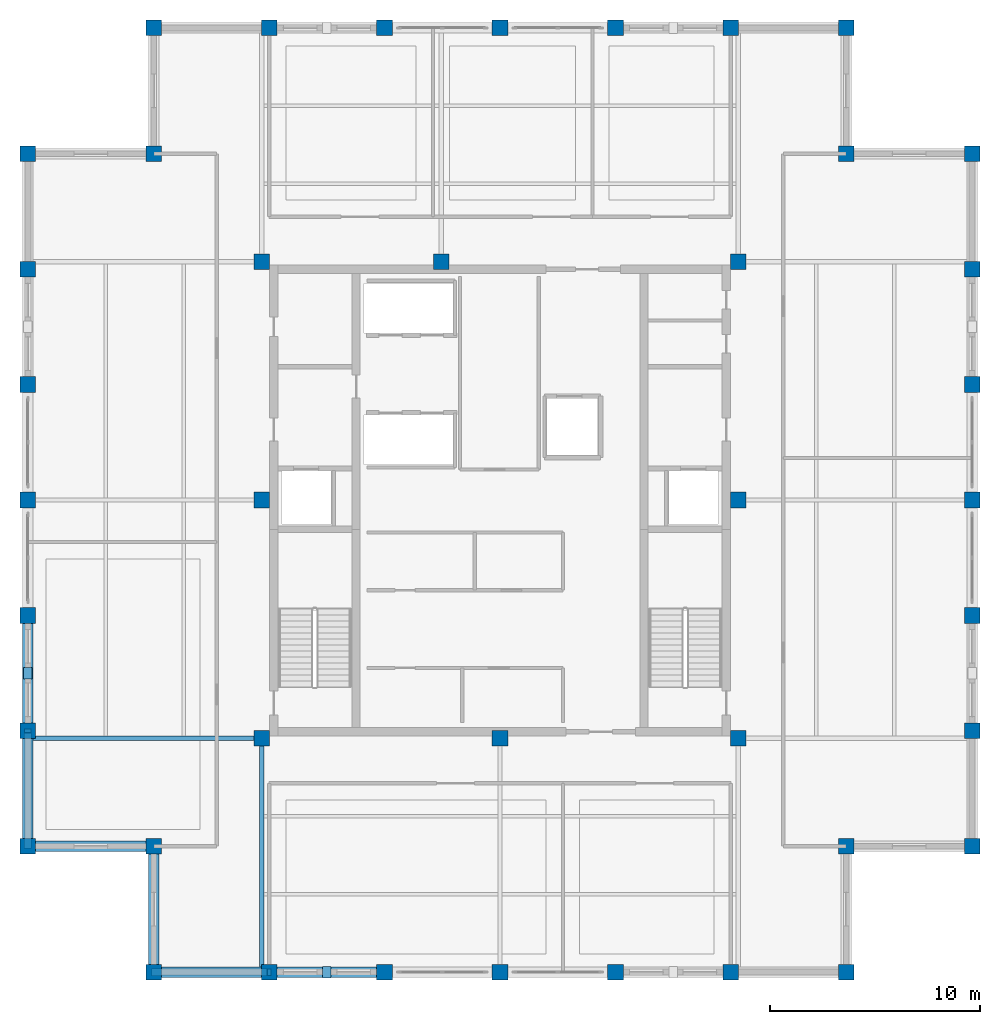
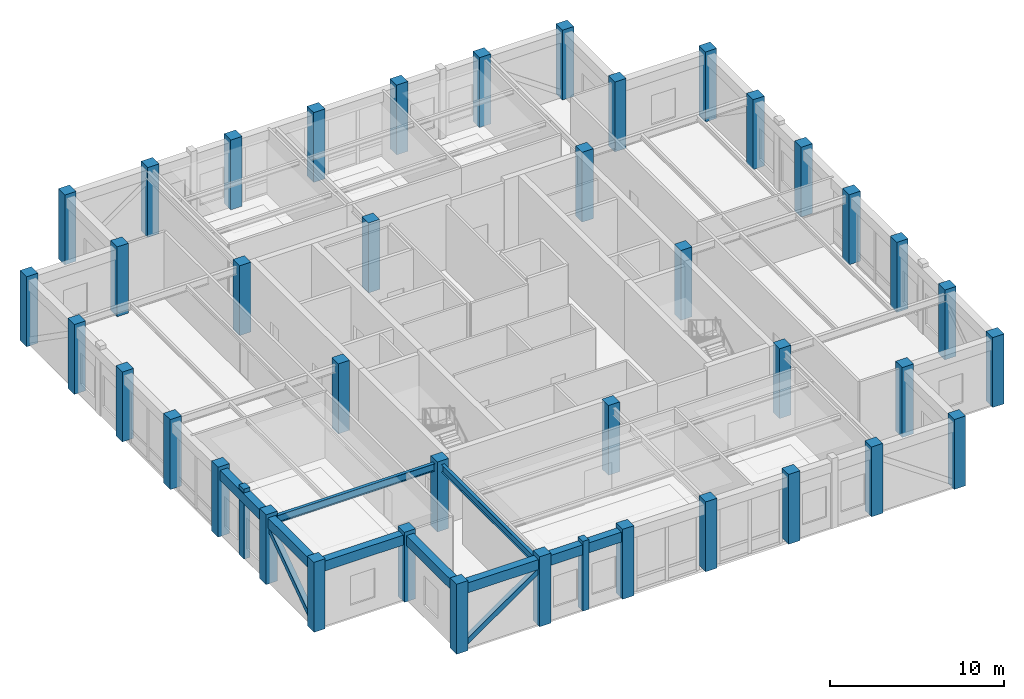
# One storey, part 1 of 13: 40 columns, 8 beams, 4 members.
"""IFC4 building model written with IfcOpenShell, lengths in metres."""

from ifc_helpers import new_model, si_unit, direction, frame, origin, origin_2d, place, context, subcontext, project, spatial, rectangle, hollow_rectangle, i_section, extrude, material, material_profile, profile_set, type_object, element, save


model = new_model("IFC4")

# Units and contexts
model_context = context("Model", 3, precision=1e-05, world=origin(), true_north=direction((0.0, 1.0)))
body_context = subcontext(model_context, "Body", "Model", "MODEL_VIEW")
ifc_project = project(units=[si_unit("LENGTHUNIT", "METRE"), si_unit("AREAUNIT", "SQUARE_METRE"), si_unit("VOLUMEUNIT", "CUBIC_METRE"), si_unit("PLANEANGLEUNIT", "RADIAN"), si_unit("MASSUNIT", "GRAM", prefix="KILO")], contexts=[model_context])

# Site, building, storey
site_placement = place(None, origin())
site = spatial("IfcSite", under=ifc_project, at=site_placement, CompositionType="ELEMENT")
building_placement = place(site_placement, origin())
building = spatial("IfcBuilding", under=site, at=building_placement, Name="Nhamokura Convention Tower", CompositionType="ELEMENT")
storey_placement = place(building_placement, frame((0.0, 0.0, 308.35009765625)))
storey = spatial("IfcBuildingStorey", under=building, at=storey_placement, Name="L76", CompositionType="ELEMENT", Elevation=308.35009765625)

# Columns
ifc_material_1 = material(Name="Concrete C50/60", Category="concrete")
ifc_material_profile_1 = material_profile(ifc_material_1, rectangle(XDim=0.75, YDim=0.75, at=origin_2d()))
ifc_profile_set_1 = profile_set([ifc_material_profile_1], Name="Concrete C50/60")
column_type = type_object("IfcColumnType", Name="TubeColumn_Z4_750", PredefinedType="COLUMN", material=ifc_profile_set_1)
for number, where, z_axis, x_axis, name in (
    (1, (20.64990234375, 20.64990234375, 0.0), (0.0, 0.0, 1.0), (1.0, 0.0, 0.0), "L76 Core Column CC-SW"),
    (2, (32.0, 20.64990234375, 0.0), (0.0, 0.0, 1.0), (1.0, 0.0, 0.0), "L76 Core Column CC-S"),
    (3, (43.35009765625, 20.64990234375, 0.0), (0.0, 0.0, 1.0), (1.0, 0.0, 0.0), "L76 Core Column CC-SE"),
    (4, (43.35009765625, 32.0, 0.0), (0.0, 0.0, 1.0), (1.0, 0.0, 0.0), "L76 Core Column CC-E"),
    (5, (43.35009765625, 43.35009765625, 0.0), (0.0, 0.0, 1.0), (1.0, 0.0, 0.0), "L76 Core Column CC-NE"),
    (6, (29.199951171875, 43.35009765625, 0.0), (0.0, 0.0, 1.0), (1.0, 0.0, 0.0), "L76 Core Column CC-N"),
    (7, (20.64990234375, 43.35009765625, 0.0), (0.0, 0.0, 1.0), (1.0, 0.0, 0.0), "L76 Core Column CC-NW"),
    (8, (20.64990234375, 32.0, 0.0), (0.0, 0.0, 1.0), (1.0, 0.0, 0.0), "L76 Core Column CC-W"),
    (9, (15.5, 9.5, 0.0), (0.0, 0.0, 1.0), (1.0, 0.0, 0.0), "L76 Perimeter Tube Column SW1"),
    (10, (15.5, 15.5, 0.0), (0.0, 0.0, 1.0), (1.0, 0.0, 0.0), "L76 Perimeter Tube Column SW0"),
    (11, (9.5, 15.5, 0.0), (0.0, 0.0, 1.0), (1.0, 0.0, 0.0), "L76 Perimeter Tube Column SW2"),
    (12, (48.5, 9.5, 0.0), (0.0, 0.0, 1.0), (1.0, 0.0, 0.0), "L76 Perimeter Tube Column SE1"),
    (13, (48.5, 15.5, 0.0), (0.0, 0.0, 1.0), (1.0, 0.0, 0.0), "L76 Perimeter Tube Column SE0"),
    (14, (54.5, 15.5, 0.0), (0.0, 0.0, 1.0), (1.0, 0.0, 0.0), "L76 Perimeter Tube Column SE2"),
    (15, (54.5, 48.5, 0.0), (0.0, 0.0, 1.0), (1.0, 0.0, 0.0), "L76 Perimeter Tube Column NE1"),
    (16, (48.5, 48.5, 0.0), (0.0, 0.0, 1.0), (1.0, 0.0, 0.0), "L76 Perimeter Tube Column NE0"),
    (17, (48.5, 54.5, 0.0), (0.0, 0.0, 1.0), (1.0, 0.0, 0.0), "L76 Perimeter Tube Column NE2"),
    (18, (15.5, 54.5, 0.0), (0.0, 0.0, 1.0), (1.0, 0.0, 0.0), "L76 Perimeter Tube Column NW1"),
    (19, (15.5, 48.5, 0.0), (0.0, 0.0, 1.0), (1.0, 0.0, 0.0), "L76 Perimeter Tube Column NW0"),
    (20, (9.5, 48.5, 0.0), (0.0, 0.0, 1.0), (1.0, 0.0, 0.0), "L76 Perimeter Tube Column NW2"),
    (21, (21.0, 9.5, 0.0), (0.0, 0.0, 1.0), (1.0, 0.0, 0.0), "L76 Perimeter Tube Column S1"),
    (22, (21.0, 54.5, 0.0), (0.0, 0.0, 1.0), (1.0, 0.0, 0.0), "L76 Perimeter Tube Column N1"),
    (23, (9.5, 21.0, 0.0), (0.0, 0.0, 1.0), (1.0, 0.0, 0.0), "L76 Perimeter Tube Column W1"),
    (24, (54.5, 21.0, 0.0), (0.0, 0.0, 1.0), (1.0, 0.0, 0.0), "L76 Perimeter Tube Column E1"),
    (25, (26.5, 9.5, 0.0), (0.0, 0.0, 1.0), (1.0, 0.0, 0.0), "L76 Perimeter Tube Column S2"),
    (26, (26.5, 54.5, 0.0), (0.0, 0.0, 1.0), (1.0, 0.0, 0.0), "L76 Perimeter Tube Column N2"),
    (27, (9.5, 26.5, 0.0), (0.0, 0.0, 1.0), (1.0, 0.0, 0.0), "L76 Perimeter Tube Column W2"),
    (28, (54.5, 26.5, 0.0), (0.0, 0.0, 1.0), (1.0, 0.0, 0.0), "L76 Perimeter Tube Column E2"),
    (29, (32.0, 9.5, 0.0), (0.0, 0.0, 1.0), (1.0, 0.0, 0.0), "L76 Perimeter Tube Column S3"),
    (30, (32.0, 54.5, 0.0), (0.0, 0.0, 1.0), (1.0, 0.0, 0.0), "L76 Perimeter Tube Column N3"),
    (31, (9.5, 32.0, 0.0), (0.0, 0.0, 1.0), (1.0, 0.0, 0.0), "L76 Perimeter Tube Column W3"),
    (32, (54.5, 32.0, 0.0), (0.0, 0.0, 1.0), (1.0, 0.0, 0.0), "L76 Perimeter Tube Column E3"),
    (33, (37.5, 9.5, 0.0), (0.0, 0.0, 1.0), (1.0, 0.0, 0.0), "L76 Perimeter Tube Column S4"),
    (34, (37.5, 54.5, 0.0), (0.0, 0.0, 1.0), (1.0, 0.0, 0.0), "L76 Perimeter Tube Column N4"),
    (35, (9.5, 37.5, 0.0), (0.0, 0.0, 1.0), (1.0, 0.0, 0.0), "L76 Perimeter Tube Column W4"),
    (36, (54.5, 37.5, 0.0), (0.0, 0.0, 1.0), (1.0, 0.0, 0.0), "L76 Perimeter Tube Column E4"),
    (37, (43.0, 9.5, 0.0), (0.0, 0.0, 1.0), (1.0, 0.0, 0.0), "L76 Perimeter Tube Column S5"),
    (38, (43.0, 54.5, 0.0), (0.0, 0.0, 1.0), (1.0, 0.0, 0.0), "L76 Perimeter Tube Column N5"),
    (39, (9.5, 43.0, 0.0), (0.0, 0.0, 1.0), (1.0, 0.0, 0.0), "L76 Perimeter Tube Column W5"),
    (40, (54.5, 43.0, 0.0), (0.0, 0.0, 1.0), (1.0, 0.0, 0.0), "L76 Perimeter Tube Column E5"),
):
    element("IfcColumn", number, at=place(storey_placement, frame(where, z_axis=z_axis, x_axis=x_axis)), inside=storey, type_object=column_type, Name=name, PredefinedType="COLUMN", context=body_context, shape_type="SweptSolid", body=[
        extrude(rectangle(XDim=0.75, YDim=0.75, at=origin_2d()), origin(), (0.0, 0.0, 1.0), 4.89990234375),
    ])

# Members
ifc_material_2 = material(Name="Bronze-pigmented precast concrete C45/55", Category="concrete")
ifc_material_profile_2 = material_profile(ifc_material_2, rectangle(XDim=0.39990234375, YDim=0.550048828125, at=origin_2d()))
ifc_profile_set_2 = profile_set([ifc_material_profile_2], Name="Bronze-pigmented precast concrete C45/55")
member_type_1 = type_object("IfcMemberType", Name="BronzePilaster_550", PredefinedType="USERDEFINED", material=ifc_profile_set_2)
for number, where, z_axis, x_axis, name in (
    (41, (23.75, 9.5, 0.0), (0.0, 0.0, 1.0), (1.0, 0.0, 0.0), "L76 Engaged Frame Pilaster SOUTH 1"),
    (42, (9.5, 23.75, 0.0), (0.0, 0.0, 1.0), (1.0, 0.0, 0.0), "L76 Engaged Frame Pilaster WEST 1"),
):
    element("IfcMember", number, at=place(storey_placement, frame(where, z_axis=z_axis, x_axis=x_axis)), inside=storey, type_object=member_type_1, Name=name, ObjectType="PILASTER_TRIM", PredefinedType="USERDEFINED", context=body_context, shape_type="SweptSolid", body=[
        extrude(rectangle(XDim=0.39990234375, YDim=0.550048828125, at=origin_2d()), origin(), (0.0, 0.0, 1.0), 4.89990234375),
    ])

# Beams
ifc_material_3 = material(Name="Steel ASTM A992 Gr 50", Category="steel")
ifc_material_profile_3 = material_profile(ifc_material_3, i_section(OverallWidth=0.208984375, OverallDepth=0.532958984375, WebThickness=0.01025390625, FlangeThickness=0.015625, at=origin_2d()))
ifc_profile_set_3 = profile_set([ifc_material_profile_3], Name="Steel ASTM A992 Gr 50")
beam_type_1 = type_object("IfcBeamType", Name="PrimaryGirder_W530X92", PredefinedType="BEAM", material=ifc_profile_set_3)
for number, where, z_axis, x_axis, name in (
    (43, (20.64990234375, 9.5, 4.373291015625), (0.0, 1.0, 0.0), (-1.0, 0.0, 0.0), "L76 Primary Floor Girder PG-S1"),
    (44, (9.5, 20.64990234375, 4.373291015625), (1.0, 0.0, 0.0), (0.0, 1.0, 0.0), "L76 Primary Floor Girder PG-W1"),
):
    element("IfcBeam", number, at=place(storey_placement, frame(where, z_axis=z_axis, x_axis=x_axis)), inside=storey, type_object=beam_type_1, Name=name, PredefinedType="BEAM", context=body_context, shape_type="SweptSolid", body=[
        extrude(i_section(OverallWidth=0.208984375, OverallDepth=0.532958984375, WebThickness=0.01025390625, FlangeThickness=0.015625, at=origin_2d()), origin(), (0.0, 0.0, 1.0), 11.14990234375),
    ])

# Members
ifc_material_4 = material(Name="Steel ASTM A572 Gr 50", Category="steel")
ifc_material_profile_4 = material_profile(ifc_material_4, hollow_rectangle(XDim=0.35009765625, YDim=0.35009765625, WallThickness=0.01611328125, at=origin_2d()))
ifc_profile_set_4 = profile_set([ifc_material_profile_4], Name="Steel ASTM A572 Gr 50")
member_type_2 = type_object("IfcMemberType", Name="TubeBrace_HSS350", PredefinedType="BRACE", material=ifc_profile_set_4)
for number, where, z_axis, x_axis, name in (
    (45, (15.5, 9.5, 0.14990234375), (0.819925528188, 0.0, 0.572470198547), (0.0, 1.0, 0.0), "L76 Perimeter Tube Brace SOUTH Bay 0"),
    (46, (9.5, 15.5, 0.14990234375), (0.0, 0.819925528188, 0.572470198547), (-1.0, 0.0, 0.0), "L76 Perimeter Tube Brace WEST Bay 0"),
):
    element("IfcMember", number, at=place(storey_placement, frame(where, z_axis=z_axis, x_axis=x_axis)), inside=storey, type_object=member_type_2, Name=name, PredefinedType="BRACE", context=body_context, shape_type="SweptSolid", body=[
        extrude(hollow_rectangle(XDim=0.35009765625, YDim=0.35009765625, WallThickness=0.01611328125, at=origin_2d()), origin(), (0.0, 0.0, 1.0), 6.7080078125),
    ])

# Beams
ifc_material_5 = material(Name="Concrete C50/60", Category="concrete")
ifc_material_profile_5 = material_profile(ifc_material_5, rectangle(XDim=0.5, YDim=0.699951171875, at=origin_2d()))
ifc_profile_set_5 = profile_set([ifc_material_profile_5], Name="Concrete C50/60")
beam_type_2 = type_object("IfcBeamType", Name="TubeSpandrel_700", PredefinedType="SPANDREL", material=ifc_profile_set_5)
for number, where, z_axis, x_axis, name in (
    (47, (15.5, 9.5, 4.289794921875), (1.0, 0.0, 0.0), (0.0, 1.0, 0.0), "L76 Perimeter Spandrel SOUTH 1"),
    (48, (21.0, 9.5, 4.289794921875), (1.0, 0.0, 0.0), (0.0, 1.0, 0.0), "L76 Perimeter Spandrel SOUTH 2"),
    (49, (9.5, 15.5, 4.289794921875), (0.0, 1.0, 0.0), (-1.0, 0.0, 0.0), "L76 Perimeter Spandrel WEST 1"),
    (50, (9.5, 21.0, 4.289794921875), (0.0, 1.0, 0.0), (-1.0, 0.0, 0.0), "L76 Perimeter Spandrel WEST 2"),
):
    element("IfcBeam", number, at=place(storey_placement, frame(where, z_axis=z_axis, x_axis=x_axis)), inside=storey, type_object=beam_type_2, Name=name, PredefinedType="SPANDREL", context=body_context, shape_type="SweptSolid", body=[
        extrude(rectangle(XDim=0.5, YDim=0.699951171875, at=origin_2d()), origin(), (0.0, 0.0, 1.0), 5.5),
    ])
for number, where, z_axis, x_axis, name in (
    (51, (15.5, 9.5, 4.289794921875), (0.0, 1.0, 0.0), (-1.0, 0.0, 0.0), "L76 Notch Spandrel SW1"),
    (52, (15.5, 15.5, 4.289794921875), (-1.0, 0.0, 0.0), (0.0, -1.0, 0.0), "L76 Notch Spandrel SW2"),
):
    element("IfcBeam", number, at=place(storey_placement, frame(where, z_axis=z_axis, x_axis=x_axis)), inside=storey, type_object=beam_type_2, Name=name, PredefinedType="SPANDREL", context=body_context, shape_type="SweptSolid", body=[
        extrude(rectangle(XDim=0.5, YDim=0.699951171875, at=origin_2d()), origin(), (0.0, 0.0, 1.0), 6.0),
    ])

save(model, "model.ifc")
